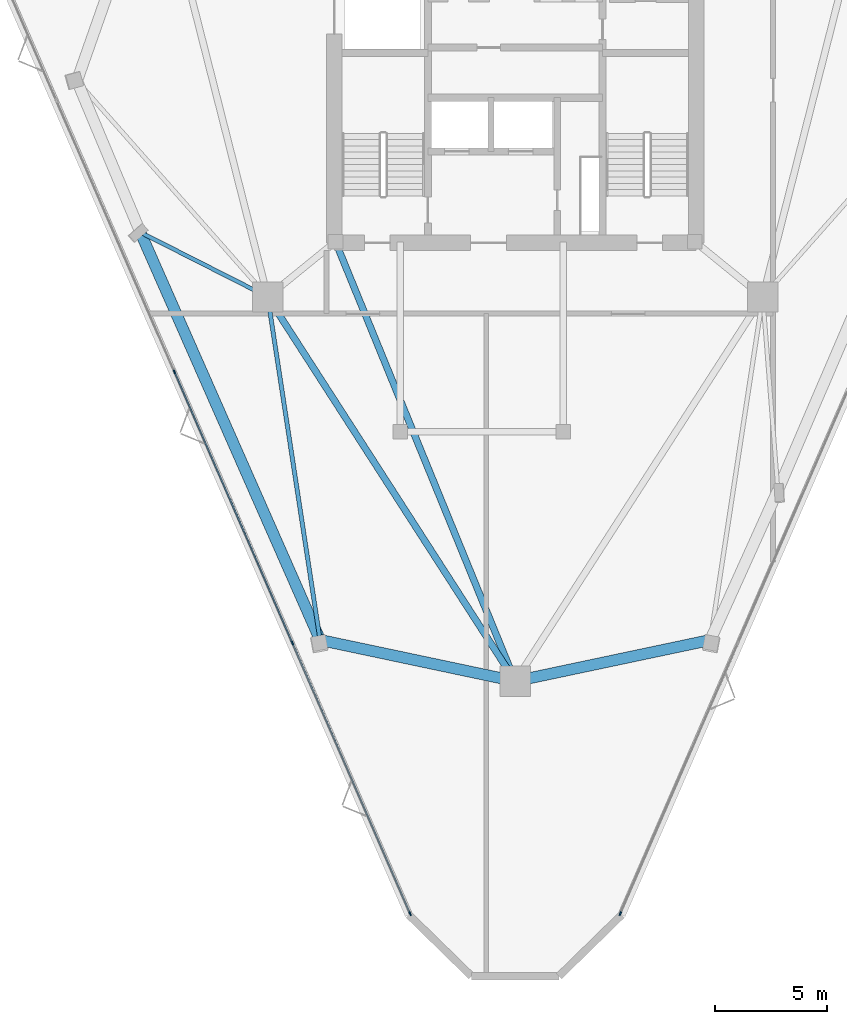
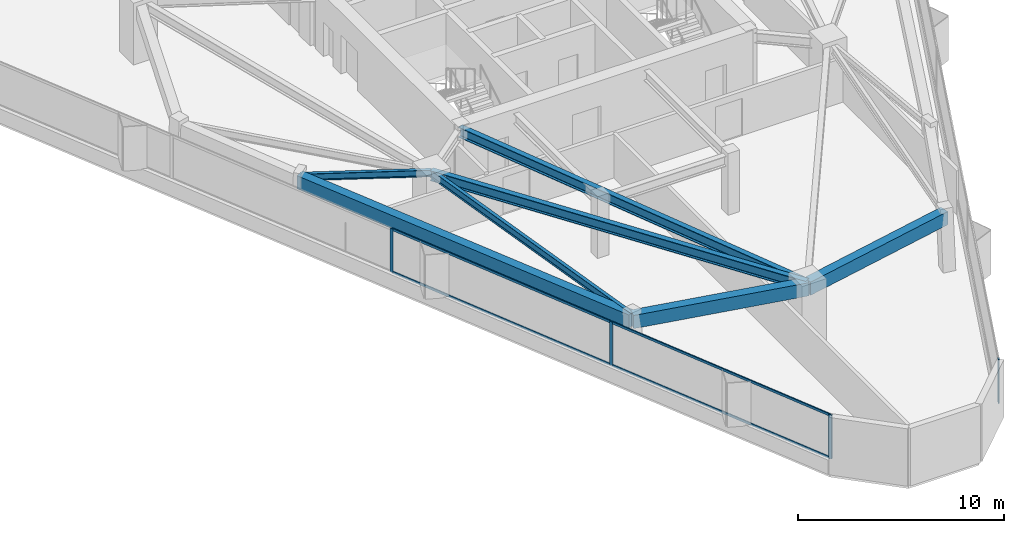
# One storey, part 2 of 12: 8 members, 7 beams, 2 elements without a shape of their own.
"""IFC4 building model written with IfcOpenShell, lengths in metres."""

import ifcopenshell
import ifcopenshell.guid

model = None  # the IFC model being written
_history = None  # IfcOwnerHistory: only IFC2X3 demands one
_inside = {}  # id of a spatial element -> (the spatial element, [elements in it])
_under = {}  # id of a project, library or spatial element -> (it, [spatial elements below it])
_declared = {}  # id of a project -> (the project, [libraries it declares])
_typed = {}  # id of a type object -> (the type object, [elements of that type])
_made_of = {}  # id of a material, layer set ... -> (it, [elements and type objects made of it])


def new_model(schema):
    """Start an empty IFC model of exactly this schema.

    Asked for "IFC4X3", IfcOpenShell would pick the latest addendum, in which some entities
    have other attributes; the version numbers below select the first issue.
    IFC2X3 requires an IfcOwnerHistory on every rooted entity: one is made here for all.
    """
    global model, _history
    if schema == "IFC4X3":
        model = ifcopenshell.file(schema_version=(4, 3, 0, 0))
    else:
        model = ifcopenshell.file(schema=schema)
    _inside.clear()
    _under.clear()
    _declared.clear()
    _typed.clear()
    _made_of.clear()
    _history = None
    if model.schema == "IFC2X3":
        org = make("IfcOrganization", Name="unknown")
        user = make(
            "IfcPersonAndOrganization",
            ThePerson=make("IfcPerson", FamilyName="unknown"),
            TheOrganization=org,
        )
        app = make(
            "IfcApplication",
            ApplicationDeveloper=org,
            Version="unknown",
            ApplicationFullName="unknown",
            ApplicationIdentifier="unknown",
        )
        _history = make(
            "IfcOwnerHistory",
            OwningUser=user,
            OwningApplication=app,
            ChangeAction="ADDED",
            CreationDate=0,
        )
    return model


def make(cls, **values):
    """One entity of the class cls with the attributes given. An attribute that is None is left unset."""
    return model.create_entity(
        cls, **{name: value for name, value in values.items() if value is not None}
    )


def rooted(cls, **values):
    """An entity with a GlobalId (a new one), such as an element, a storey or a relation."""
    return make(cls, GlobalId=ifcopenshell.guid.new(), OwnerHistory=_history, **values)


def si_unit(unit_type, name, prefix=None):
    """IfcSIUnit, for example si_unit("LENGTHUNIT", "METRE", prefix="MILLI")."""
    return make("IfcSIUnit", UnitType=unit_type, Prefix=prefix, Name=name)


def assignment(units):
    """IfcUnitAssignment: the units of a project."""
    return None if units is None else make("IfcUnitAssignment", Units=units)


def point(xyz):
    """IfcCartesianPoint."""
    return None if xyz is None else make("IfcCartesianPoint", Coordinates=xyz)


def direction(xyz):
    """IfcDirection."""
    return None if xyz is None else make("IfcDirection", DirectionRatios=xyz)


def frame(location, z_axis=None, x_axis=None):
    """IfcAxis2Placement3D, a coordinate frame: its origin and axes. An axis left out is left unset."""
    return make(
        "IfcAxis2Placement3D",
        Location=point(location),
        Axis=direction(z_axis),
        RefDirection=direction(x_axis),
    )


def frame_2d(location, x_axis=None):
    """IfcAxis2Placement2D, a coordinate frame in the plane: its origin and x axis."""
    return make(
        "IfcAxis2Placement2D", Location=point(location), RefDirection=direction(x_axis)
    )


def origin():
    """The frame at (0, 0, 0) with its axes left unset."""
    return frame((0.0, 0.0, 0.0))


def origin_2d():
    """The frame at (0, 0) in the plane with its x axis left unset."""
    return frame_2d((0.0, 0.0))


def place(relative_to, where):
    """IfcLocalPlacement: puts the frame where relative to a parent placement (None: the world)."""
    return make(
        "IfcLocalPlacement", PlacementRelTo=relative_to, RelativePlacement=where
    )


def context(
    kind, dimensions, precision=None, world=None, true_north=None, identifier=None
):
    """IfcGeometricRepresentationContext, for example the 3D "Model" context."""
    return make(
        "IfcGeometricRepresentationContext",
        ContextIdentifier=identifier,
        ContextType=kind,
        CoordinateSpaceDimension=dimensions,
        Precision=precision,
        WorldCoordinateSystem=world,
        TrueNorth=true_north,
    )


def subcontext(parent, identifier, kind, view, scale=None):
    """IfcGeometricRepresentationSubContext, for example "Body" below "Model"."""
    return make(
        "IfcGeometricRepresentationSubContext",
        ContextIdentifier=identifier,
        ContextType=kind,
        ParentContext=parent,
        TargetScale=scale,
        TargetView=view,
    )


def project(units=None, contexts=None):
    """IfcProject with its units and contexts."""
    return rooted(
        "IfcProject",
        Name="project",
        RepresentationContexts=contexts,
        UnitsInContext=assignment(units),
    )


def spatial(cls, under=None, at=None, **own):
    """A site, building, storey or space (cls), placed at a placement, below another one or the project."""
    s = rooted(cls, ObjectPlacement=at, **own)
    if under is not None:
        _under.setdefault(under.id(), (under, []))[1].append(s)
    return s


def profile(cls, at=None, kind="AREA", **sizes):
    """A parametric profile (cls). Its sizes go by their IFC names, for example OverallWidth=200.0."""
    return make(cls, ProfileType=kind, Position=at, **sizes)


def rectangle(**sizes):
    """IfcRectangleProfileDef."""
    return profile("IfcRectangleProfileDef", **sizes)


def i_section(**sizes):
    """IfcIShapeProfileDef."""
    return profile("IfcIShapeProfileDef", **sizes)


def extrude(swept, where, along, depth):
    """IfcExtrudedAreaSolid: the profile swept, set in the frame where, extruded along a direction by depth."""
    return make(
        "IfcExtrudedAreaSolid",
        SweptArea=swept,
        Position=where,
        ExtrudedDirection=direction(along),
        Depth=depth,
    )


def shape(context_of_items, identifier, shape_type, items):
    """IfcShapeRepresentation: the items that make up one representation, for example the "Body"."""
    return make(
        "IfcShapeRepresentation",
        ContextOfItems=context_of_items,
        RepresentationIdentifier=identifier,
        RepresentationType=shape_type,
        Items=items,
    )


def material(Name=None, Category=None):
    """IfcMaterial."""
    return make("IfcMaterial", Name=Name, Category=Category)


def layer(
    of_material, thickness, ventilated=None, Name=None, Category=None, Priority=None
):
    """IfcMaterialLayer: one layer of a wall or slab, of a material (None: an air gap)."""
    return make(
        "IfcMaterialLayer",
        Material=of_material,
        LayerThickness=thickness,
        IsVentilated=ventilated,
        Name=Name,
        Category=Category,
        Priority=Priority,
    )


def layer_set(layers, Name=None):
    """IfcMaterialLayerSet."""
    return make("IfcMaterialLayerSet", MaterialLayers=layers, LayerSetName=Name)


def material_profile(
    of_material, cross_section, Name=None, Category=None, Priority=None
):
    """IfcMaterialProfile: a cross section and its material."""
    return make(
        "IfcMaterialProfile",
        Name=Name,
        Material=of_material,
        Profile=cross_section,
        Priority=Priority,
        Category=Category,
    )


def profile_set(profiles, Name=None, composite=None):
    """IfcMaterialProfileSet."""
    return make(
        "IfcMaterialProfileSet",
        Name=Name,
        MaterialProfiles=profiles,
        CompositeProfile=composite,
    )


def made_of(thing, what):
    """Note that an element or type object is made of a material, layer set ...; save() writes the relation."""
    if what is not None:
        _made_of.setdefault(what.id(), (what, []))[1].append(thing)
    return thing


def type_object(cls, material=None, **own):
    """A type object (cls), such as IfcWallType, which elements share."""
    return made_of(rooted(cls, **own), material)


def element(
    cls,
    number,
    at=None,
    inside=None,
    cuts=None,
    type_object=None,
    material=None,
    context=None,
    identifier="Body",
    shape_type=None,
    held_by="IfcProductDefinitionShape",
    body=None,
    shapes=None,
    **own,
):
    """One element of the class cls, such as IfcWall. Its Tag is "e" and its number.

    at: its placement. inside: the storey or other place that contains it. cuts: it is an
    opening in that element (IfcRelVoidsElement). A single representation is given by context,
    identifier, shape_type and body (its items); several are given by shapes. held_by: the class
    of the entity that holds the representations. save() writes the other relations.
    """
    e = rooted(cls, Tag="e%d" % number, ObjectPlacement=at, **own)
    if body is not None:
        shapes = [shape(context, identifier, shape_type, body)]
    if shapes is not None:
        e.Representation = make(held_by, Representations=shapes)
    if inside is not None:
        _inside.setdefault(inside.id(), (inside, []))[1].append(e)
    if cuts is not None:
        rooted(
            "IfcRelVoidsElement", RelatingBuildingElement=cuts, RelatedOpeningElement=e
        )
    if type_object is not None:
        _typed.setdefault(type_object.id(), (type_object, []))[1].append(e)
    return made_of(e, material)


def aggregate(whole, parts):
    """IfcRelAggregates: a whole, such as a stair, and the parts it consists of."""
    return rooted("IfcRelAggregates", RelatingObject=whole, RelatedObjects=parts)


def save(model, path):
    """Write the relations noted so far, then the file.

    IfcRelAggregates (storeys below a building ...), IfcRelContainedInSpatialStructure (elements
    in a storey), IfcRelDefinesByType, IfcRelAssociatesMaterial and IfcRelDeclares: one each for
    every whole, place, type object, material and project.
    """
    for whole, parts in _under.values():
        aggregate(whole, parts)
    for where, things in _inside.values():
        rooted(
            "IfcRelContainedInSpatialStructure",
            RelatedElements=things,
            RelatingStructure=where,
        )
    for kind, things in _typed.values():
        rooted("IfcRelDefinesByType", RelatedObjects=things, RelatingType=kind)
    for what, things in _made_of.values():
        rooted("IfcRelAssociatesMaterial", RelatedObjects=things, RelatingMaterial=what)
    for by, libraries in _declared.values():
        rooted("IfcRelDeclares", RelatingContext=by, RelatedDefinitions=libraries)
    model.write(path)


model = new_model("IFC4")

# Units and contexts
model_context = context("Model", 3, precision=1e-05, world=origin(), true_north=direction((0.0, 1.0)))
body_context = subcontext(model_context, "Body", "Model", "MODEL_VIEW")
ifc_project = project(units=[si_unit("LENGTHUNIT", "METRE"), si_unit("AREAUNIT", "SQUARE_METRE"), si_unit("VOLUMEUNIT", "CUBIC_METRE"), si_unit("PLANEANGLEUNIT", "RADIAN"), si_unit("MASSUNIT", "GRAM", prefix="KILO")], contexts=[model_context])

# Site, building, storey
site_placement = place(None, origin())
site = spatial("IfcSite", under=ifc_project, at=site_placement, CompositionType="ELEMENT")
building_placement = place(site_placement, origin())
building = spatial("IfcBuilding", under=site, at=building_placement, Name="Talyreon Biosciences Tower", CompositionType="ELEMENT")
storey_placement = place(building_placement, frame((0.0, 0.0, 194.0)))
storey = spatial("IfcBuildingStorey", under=building, at=storey_placement, Name="L51", CompositionType="ELEMENT", Elevation=194.0)

# Curtain wall, members
ifc_material_1 = material(Name="Thermally broken aluminium and low-E glazing", Category="aluminium")
ifc_layer = layer(ifc_material_1, 0.179931640625)
ifc_layer_set = layer_set([ifc_layer], Name="Thermally broken aluminium and low-E glazing")
curtain_wall_type = type_object("IfcCurtainWallType", Name="CurtainWall_Zone4Optical", PredefinedType="NOTDEFINED", material=ifc_layer_set)
curtain_wall_1_placement = place(storey_placement, origin())
curtain_wall_1 = element("IfcCurtainWall", 1, at=curtain_wall_1_placement, inside=storey, type_object=curtain_wall_type, Name="L51 Unitised Curtain Wall FCW-L51-00", PredefinedType="NOTDEFINED")
ifc_material_2 = material(Name="Anodised thermally broken aluminium", Category="aluminium")
ifc_material_profile_1 = material_profile(ifc_material_2, rectangle(XDim=0.06494140625, YDim=0.179931640625, at=origin_2d()), Name="ALUM MULLION 65x180")
ifc_profile_set_1 = profile_set([ifc_material_profile_1], Name="Anodised thermally broken aluminium")
member_type_1 = type_object("IfcMemberType", Name="CWMullion_65x180", PredefinedType="MULLION", material=ifc_profile_set_1)
member_1_placement = place(storey_placement, frame((61.2919921875, 31.2587890625, 0.81005859375), z_axis=(0.0, 0.0, 1.0), x_axis=(-0.917010897502, -0.398862148946, 0.0)))
member_1 = element("IfcMember", 2, at=member_1_placement, type_object=member_type_1, Name="CW5 mullion 1", PredefinedType="MULLION", context=body_context, shape_type="SweptSolid", body=[
    extrude(rectangle(XDim=0.06494140625, YDim=0.179931640625, at=origin_2d()), origin(), (0.0, 0.0, 1.0), 2.58984375),
])
member_2_placement = place(storey_placement, frame((56.022216796875, 43.374267578125, 0.81005859375), z_axis=(0.0, 0.0, 1.0), x_axis=(-0.917010897502, -0.398862148946, 0.0)))
member_2 = element("IfcMember", 3, at=member_2_placement, type_object=member_type_1, Name="CW5 mullion 2", PredefinedType="MULLION", context=body_context, shape_type="SweptSolid", body=[
    extrude(rectangle(XDim=0.06494140625, YDim=0.179931640625, at=origin_2d()), origin(), (0.0, 0.0, 1.0), 2.58984375),
])
member_3_placement = place(storey_placement, frame((50.739501953125, 55.51953125, 0.81005859375), z_axis=(0.0, 0.0, 1.0), x_axis=(-0.917010897502, -0.398862148946, 0.0)))
member_3 = element("IfcMember", 4, at=member_3_placement, type_object=member_type_1, Name="CW5 mullion 3", PredefinedType="MULLION", context=body_context, shape_type="SweptSolid", body=[
    extrude(rectangle(XDim=0.06494140625, YDim=0.179931640625, at=origin_2d()), origin(), (0.0, 0.0, 1.0), 2.58984375),
])

# Curtain wall, member
curtain_wall_2_placement = place(storey_placement, origin())
curtain_wall_2 = element("IfcCurtainWall", 5, at=curtain_wall_2_placement, inside=storey, type_object=curtain_wall_type, Name="L51 Unitised Curtain Wall FCW-L51-08", PredefinedType="NOTDEFINED")
member_4_placement = place(storey_placement, frame((70.7080078125, 31.2587890625, 0.81005859375), z_axis=(0.0, 0.0, 1.0), x_axis=(0.917010897502, -0.398862148946, 0.0)))
member_4 = element("IfcMember", 6, at=member_4_placement, type_object=member_type_1, Name="CW5 mullion 5", PredefinedType="MULLION", context=body_context, shape_type="SweptSolid", body=[
    extrude(rectangle(XDim=0.06494140625, YDim=0.179931640625, at=origin_2d()), origin(), (0.0, 0.0, 1.0), 2.58984375),
])
aggregate(curtain_wall_2, [member_4])

# Member
ifc_material_profile_2 = material_profile(ifc_material_2, rectangle(XDim=0.06494140625, YDim=0.139892578125, at=origin_2d()), Name="ALUM TRANSOM 65x140")
ifc_profile_set_2 = profile_set([ifc_material_profile_2], Name="Anodised thermally broken aluminium")
member_type_2 = type_object("IfcMemberType", Name="CWTransom_65x140", PredefinedType="USERDEFINED", material=ifc_profile_set_2)
member_5_placement = place(storey_placement, frame((61.279052734375, 31.28857421875, 0.842529296875), z_axis=(-0.398866666561, 0.917008932512, 0.0), x_axis=(-0.917008932512, -0.398866666561, 0.0)))
member_5 = element("IfcMember", 7, at=member_5_placement, type_object=member_type_2, Name="CW5 transom 1.1", ObjectType="TRANSOM", PredefinedType="USERDEFINED", context=body_context, shape_type="SweptSolid", body=[
    extrude(rectangle(XDim=0.06494140625, YDim=0.139892578125, at=origin_2d()), origin(), (0.0, 0.0, 1.0), 13.14697265625),
])

member_6_placement = place(storey_placement, frame((61.279052734375, 31.28857421875, 3.367431640625), z_axis=(-0.398866666561, 0.917008932512, 0.0), x_axis=(-0.917008932512, -0.398866666561, 0.0)))
member_6 = element("IfcMember", 8, at=member_6_placement, type_object=member_type_2, Name="CW5 transom 1.2", ObjectType="TRANSOM", PredefinedType="USERDEFINED", context=body_context, shape_type="SweptSolid", body=[
    extrude(rectangle(XDim=0.06494140625, YDim=0.139892578125, at=origin_2d()), origin(), (0.0, 0.0, 1.0), 13.14697265625),
])

member_7_placement = place(storey_placement, frame((56.00927734375, 43.404052734375, 0.842529296875), z_axis=(-0.398865642927, 0.917009377756, 0.0), x_axis=(-0.917009377756, -0.398865642927, 0.0)))
member_7 = element("IfcMember", 9, at=member_7_placement, type_object=member_type_2, Name="CW5 transom 2.1", ObjectType="TRANSOM", PredefinedType="USERDEFINED", context=body_context, shape_type="SweptSolid", body=[
    extrude(rectangle(XDim=0.06494140625, YDim=0.139892578125, at=origin_2d()), origin(), (0.0, 0.0, 1.0), 13.179443359375),
])

member_8_placement = place(storey_placement, frame((56.00927734375, 43.404052734375, 3.367431640625), z_axis=(-0.398865642927, 0.917009377756, 0.0), x_axis=(-0.917009377756, -0.398865642927, 0.0)))
member_8 = element("IfcMember", 10, at=member_8_placement, type_object=member_type_2, Name="CW5 transom 2.2", ObjectType="TRANSOM", PredefinedType="USERDEFINED", context=body_context, shape_type="SweptSolid", body=[
    extrude(rectangle(XDim=0.06494140625, YDim=0.139892578125, at=origin_2d()), origin(), (0.0, 0.0, 1.0), 13.179443359375),
])

aggregate(curtain_wall_1, [member_1, member_2, member_3, member_5, member_6, member_7, member_8])

# Beams
ifc_material_3 = material(Name="Precast concrete C45/55", Category="concrete")
ifc_material_profile_3 = material_profile(ifc_material_3, rectangle(XDim=0.5, YDim=0.780029296875, at=origin_2d()), Name="RCB 500x780")
ifc_profile_set_3 = profile_set([ifc_material_profile_3], Name="Precast concrete C45/55")
beam_type_1 = type_object("IfcBeamType", Name="ExpressedSpandrel_500x780", PredefinedType="SPANDREL", material=ifc_profile_set_3)
beam_1_placement = place(storey_placement, frame((66.0, 41.6669921875, 3.010009765625), z_axis=(0.978394374842, 0.206747302952, 0.0), x_axis=(-0.206747302952, 0.978394374842, 0.0)))
element("IfcBeam", 11, at=beam_1_placement, inside=storey, type_object=beam_type_1, Name="L51 Expressed Horizontal Concrete Spandrel 01", PredefinedType="SPANDREL", context=body_context, shape_type="SweptSolid", body=[
    extrude(rectangle(XDim=0.5, YDim=0.780029296875, at=origin_2d()), origin(), (0.0, 0.0, 1.0), 8.933349609375),
])
beam_2_placement = place(storey_placement, frame((49.210205078125, 61.7744140625, 3.010009765625), z_axis=(0.403365796979, -0.915038815476, 0.0), x_axis=(0.915038815476, 0.403365796979, 0.0)))
element("IfcBeam", 12, at=beam_2_placement, inside=storey, type_object=beam_type_1, Name="L51 Expressed Horizontal Concrete Spandrel 11", PredefinedType="SPANDREL", context=body_context, shape_type="SweptSolid", body=[
    extrude(rectangle(XDim=0.5, YDim=0.780029296875, at=origin_2d()), origin(), (0.0, 0.0, 1.0), 19.9560546875),
])
beam_3_placement = place(storey_placement, frame((57.259765625, 43.513916015625, 3.010009765625), z_axis=(0.978394374842, -0.206747302952, 0.0), x_axis=(0.206747302952, 0.978394374842, 0.0)))
element("IfcBeam", 13, at=beam_3_placement, inside=storey, type_object=beam_type_1, Name="L51 Expressed Horizontal Concrete Spandrel 12", PredefinedType="SPANDREL", context=body_context, shape_type="SweptSolid", body=[
    extrude(rectangle(XDim=0.5, YDim=0.780029296875, at=origin_2d()), origin(), (0.0, 0.0, 1.0), 8.933349609375),
])
ifc_material_4 = material(Name="Steel SM355", Category="steel")
ifc_material_profile_4 = material_profile(ifc_material_4, i_section(OverallWidth=0.300048828125, OverallDepth=0.60009765625, WebThickness=0.015380859375, FlangeThickness=0.030029296875, FilletRadius=0.027099609375, at=origin_2d()), Name="HE600B")
ifc_profile_set_4 = profile_set([ifc_material_profile_4], Name="Steel SM355")
beam_type_2 = type_object("IfcBeamType", Name="SteelBeam_HE600B", PredefinedType="BEAM", material=ifc_profile_set_4)
beam_4_placement = place(storey_placement, frame((54.913818359375, 58.88037109375, 3.10009765625), z_axis=(0.541463723609, -0.840724114092, 0.0), x_axis=(0.840724114092, 0.541463723609, 0.0)))
element("IfcBeam", 14, at=beam_4_placement, inside=storey, type_object=beam_type_2, Name="L51 Mega-Ring Girder 6", PredefinedType="BEAM", context=body_context, shape_type="SweptSolid", body=[
    extrude(i_section(OverallWidth=0.300048828125, OverallDepth=0.60009765625, WebThickness=0.015380859375, FlangeThickness=0.030029296875, FilletRadius=0.027099609375, at=origin_2d()), origin(), (0.0, 0.0, 1.0), 20.474365234375),
])
beam_5_placement = place(storey_placement, frame((57.949951171875, 61.35009765625, 3.10009765625), z_axis=(0.378547014545, -0.925582064314, 0.0), x_axis=(0.925582064314, 0.378547014545, 0.0)))
element("IfcBeam", 15, at=beam_5_placement, inside=storey, type_object=beam_type_2, Name="L51 Radial Primary Girder 1", PredefinedType="BEAM", context=body_context, shape_type="SweptSolid", body=[
    extrude(i_section(OverallWidth=0.300048828125, OverallDepth=0.60009765625, WebThickness=0.015380859375, FlangeThickness=0.030029296875, FilletRadius=0.027099609375, at=origin_2d()), origin(), (0.0, 0.0, 1.0), 21.265625),
])
ifc_material_profile_5 = material_profile(ifc_material_4, i_section(OverallWidth=0.179931640625, OverallDepth=0.39990234375, WebThickness=0.008544921875, FlangeThickness=0.013427734375, FilletRadius=0.02099609375, at=origin_2d()), Name="IPE400")
ifc_profile_set_5 = profile_set([ifc_material_profile_5], Name="Steel SM355")
beam_type_3 = type_object("IfcBeamType", Name="SteelJoist_IPE400", PredefinedType="JOIST", material=ifc_profile_set_5)
beam_6_placement = place(storey_placement, frame((54.913818359375, 58.88037109375, 3.199951171875), z_axis=(-0.891770098705, 0.452488774508, 0.0), x_axis=(-0.452488774508, -0.891770098705, 0.0)))
element("IfcBeam", 16, at=beam_6_placement, inside=storey, type_object=beam_type_3, Name="L51 Radial Composite Floor Joist PL-SW", PredefinedType="JOIST", context=body_context, shape_type="SweptSolid", body=[
    extrude(i_section(OverallWidth=0.179931640625, OverallDepth=0.39990234375, WebThickness=0.008544921875, FlangeThickness=0.013427734375, FilletRadius=0.02099609375, at=origin_2d()), origin(), (0.0, 0.0, 1.0), 6.395751953125),
])
ifc_material_profile_6 = material_profile(ifc_material_4, i_section(OverallWidth=0.18994140625, OverallDepth=0.449951171875, WebThickness=0.009521484375, FlangeThickness=0.0146484375, FilletRadius=0.02099609375, at=origin_2d()), Name="IPE450")
ifc_profile_set_6 = profile_set([ifc_material_profile_6], Name="Steel SM355")
beam_type_4 = type_object("IfcBeamType", Name="SteelJoist_IPE450", PredefinedType="JOIST", material=ifc_profile_set_6)
beam_7_placement = place(storey_placement, frame((54.913818359375, 58.88037109375, 3.175048828125), z_axis=(0.150918177199, -0.98854625779, 0.0), x_axis=(0.98854625779, 0.150918177199, 0.0)))
element("IfcBeam", 17, at=beam_7_placement, inside=storey, type_object=beam_type_4, Name="L51 Radial Composite Floor Joist PC-SW2", PredefinedType="JOIST", context=body_context, shape_type="SweptSolid", body=[
    extrude(i_section(OverallWidth=0.18994140625, OverallDepth=0.449951171875, WebThickness=0.009521484375, FlangeThickness=0.0146484375, FilletRadius=0.02099609375, at=origin_2d()), origin(), (0.0, 0.0, 1.0), 15.54443359375),
])

save(model, "model.ifc")
